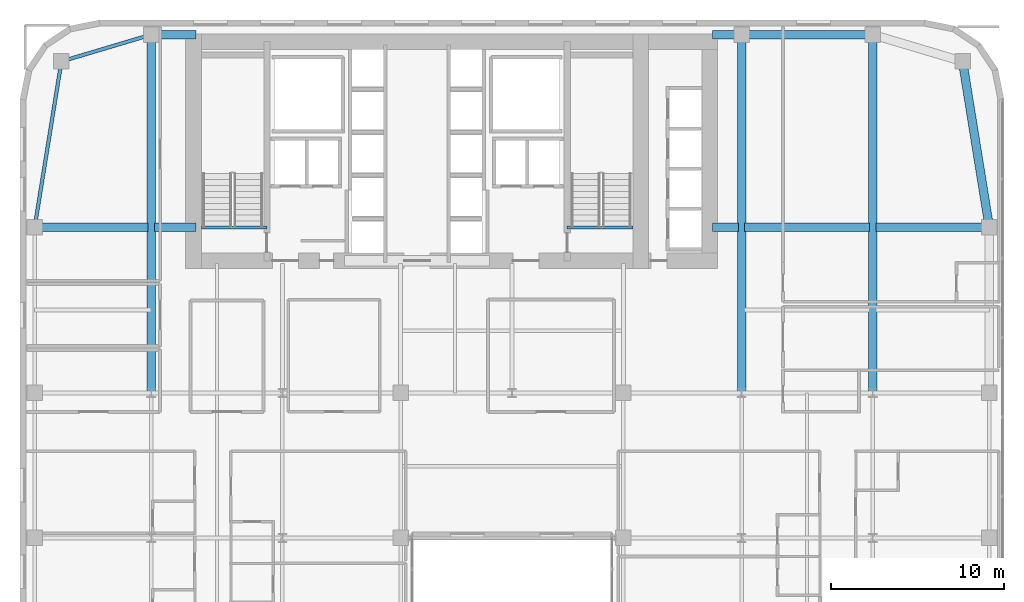
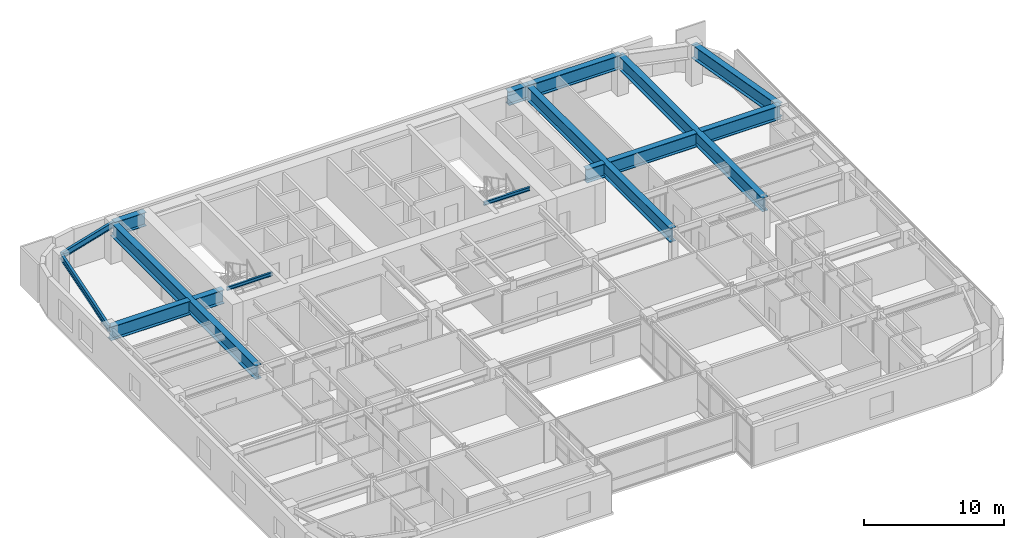
# One storey, part 13 of 25: 16 beams.
"""IFC4 building model written with IfcOpenShell, lengths in metres."""

from ifc_helpers import new_model, si_unit, direction, frame, origin, origin_2d, place, context, subcontext, project, spatial, i_section, extrude, source, transform, mapped, material, material_profile, profile_set, type_object, type_shapes, element, save


model = new_model("IFC4")

# Units and contexts
model_context = context("Model", 3, precision=1e-05, world=origin(), true_north=direction((0.0, 1.0)))
body_context = subcontext(model_context, "Body", "Model", "MODEL_VIEW")
ifc_project = project(units=[si_unit("LENGTHUNIT", "METRE"), si_unit("AREAUNIT", "SQUARE_METRE"), si_unit("VOLUMEUNIT", "CUBIC_METRE"), si_unit("PLANEANGLEUNIT", "RADIAN"), si_unit("MASSUNIT", "GRAM", prefix="KILO")], contexts=[model_context])

# Site, building, storey
site_placement = place(None, origin())
site = spatial("IfcSite", under=ifc_project, at=site_placement, CompositionType="ELEMENT")
building_placement = place(site_placement, origin())
building = spatial("IfcBuilding", under=site, at=building_placement, Name="Tolvann Quenvar Hotel", CompositionType="ELEMENT")
storey_placement = place(building_placement, frame((0.0, 0.0, 78.14990234375)))
storey = spatial("IfcBuildingStorey", under=building, at=storey_placement, Name="L19", CompositionType="ELEMENT", Elevation=78.14990234375)

# Beams
ifc_material = material(Name="Steel Grade 350", Category="steel")
ifc_material_profile_1 = material_profile(ifc_material, i_section(OverallWidth=0.5, OverallDepth=1.199951171875, WebThickness=0.01611328125, FlangeThickness=0.0400390625, at=origin_2d()), Name="1200WB455")
ifc_profile_set_1 = profile_set([ifc_material_profile_1], Name="Steel Grade 350")
beam_type_1 = type_object("IfcBeamType", Name="BM_TG_1200WB455", PredefinedType="USERDEFINED", material=ifc_profile_set_1)
shared_shape_1 = source(origin(), body_context, "Body", "SweptSolid", [
    extrude(i_section(OverallWidth=0.5, OverallDepth=1.199951171875, WebThickness=0.01611328125, FlangeThickness=0.0400390625, at=origin_2d()), origin(), (0.0, 0.0, 1.0), 7.599853515625),
])
beam_1_placement = place(storey_placement, frame((49.39990234375, 45.14990234375, 2.77001953125), z_axis=(-1.0, 0.0, 0.0), x_axis=(0.0, -1.0, 0.0)))
element("IfcBeam", 1, at=beam_1_placement, inside=storey, type_object=beam_type_1, Name="BM-L19-FLK-E4", ObjectType="TRANSFER GIRDER", PredefinedType="USERDEFINED", context=body_context, shape_type="MappedRepresentation", body=[
    mapped(shared_shape_1, transform((0.0, 0.0, 0.0), x_axis=(1.0, 0.0, 0.0), y_axis=(0.0, 1.0, 0.0), z_axis=(0.0, 0.0, 1.0), scale=1.0)),
])
ifc_material_profile_2 = material_profile(ifc_material, i_section(OverallWidth=0.208984375, OverallDepth=0.528076171875, WebThickness=0.009521484375, FlangeThickness=0.01318359375, FilletRadius=0.013916015625, at=origin_2d()), Name="530UB82")
ifc_profile_set_2 = profile_set([ifc_material_profile_2], Name="Steel Grade 350")
beam_type_2 = type_object("IfcBeamType", Name="BM_SPAND_530UB82", PredefinedType="SPANDREL", material=ifc_profile_set_2)
shared_shape_2 = source(origin(), body_context, "Body", "SweptSolid", [
    extrude(i_section(OverallWidth=0.208984375, OverallDepth=0.528076171875, WebThickness=0.009521484375, FlangeThickness=0.01318359375, FilletRadius=0.013916015625, at=origin_2d()), origin(), (0.0, 0.0, 1.0), 5.42626953125),
])
beam_2_placement = place(storey_placement, frame((2.39990234375, 43.60009765625, 3.106201171875), z_axis=(0.958344815522, 0.285613750654, 0.0), x_axis=(-0.285613750654, 0.958344815522, 0.0)))
element("IfcBeam", 2, at=beam_2_placement, inside=storey, type_object=beam_type_2, Name="BM-L19-FLK-W3", PredefinedType="SPANDREL", context=body_context, shape_type="MappedRepresentation", body=[
    mapped(shared_shape_2, transform((0.0, 0.0, 0.0), x_axis=(1.0, 0.0, 0.0), y_axis=(0.0, 1.0, 0.0), z_axis=(0.0, 0.0, 1.0), scale=1.0)),
])
shared_shape_3 = source(origin(), body_context, "Body", "SweptSolid", [
    extrude(i_section(OverallWidth=0.208984375, OverallDepth=0.528076171875, WebThickness=0.009521484375, FlangeThickness=0.01318359375, FilletRadius=0.013916015625, at=origin_2d()), origin(), (0.0, 0.0, 1.0), 9.724365234375),
])
type_shapes(beam_type_2, [shared_shape_2, shared_shape_3])
beam_3_placement = place(storey_placement, frame((0.85009765625, 34.0, 3.106201171875), z_axis=(0.159372939192, 0.987218449105, 0.0), x_axis=(-0.987218449105, 0.159372939192, 0.0)))
element("IfcBeam", 3, at=beam_3_placement, inside=storey, type_object=beam_type_2, Name="BM-L19-FLK-W2", PredefinedType="SPANDREL", context=body_context, shape_type="MappedRepresentation", body=[
    mapped(shared_shape_3, transform((0.0, 0.0, 0.0), x_axis=(1.0, 0.0, 0.0), y_axis=(0.0, 1.0, 0.0), z_axis=(0.0, 0.0, 1.0), scale=1.0)),
])
shared_shape_4 = source(origin(), body_context, "Body", "SweptSolid", [
    extrude(i_section(OverallWidth=0.5, OverallDepth=1.199951171875, WebThickness=0.01611328125, FlangeThickness=0.0400390625, at=origin_2d()), origin(), (0.0, 0.0, 1.0), 20.75),
])
for number, where, z_axis, x_axis, name in (
    (4, (7.60009765625, 24.39990234375, 2.77001953125), (0.0, 1.0, 0.0), (-1.0, 0.0, 0.0), "BM-L19-FLK-WC"),
    (5, (41.800048828125, 24.39990234375, 2.77001953125), (0.0, 1.0, 0.0), (-1.0, 0.0, 0.0), "BM-L19-FLK-EH"),
    (6, (49.39990234375, 24.39990234375, 2.77001953125), (0.0, 1.0, 0.0), (-1.0, 0.0, 0.0), "BM-L19-FLK-EI"),
):
    element("IfcBeam", number, at=place(storey_placement, frame(where, z_axis=z_axis, x_axis=x_axis)), inside=storey, type_object=beam_type_1, Name=name, ObjectType="TRANSFER GIRDER", PredefinedType="USERDEFINED", context=body_context, shape_type="MappedRepresentation", body=[
        mapped(shared_shape_4, transform((0.0, 0.0, 0.0), x_axis=(1.0, 0.0, 0.0), y_axis=(0.0, 1.0, 0.0), z_axis=(0.0, 0.0, 1.0), scale=1.0)),
    ])
shared_shape_5 = source(origin(), body_context, "Body", "SweptSolid", [
    extrude(i_section(OverallWidth=0.5, OverallDepth=1.199951171875, WebThickness=0.01611328125, FlangeThickness=0.0400390625, at=origin_2d()), origin(), (0.0, 0.0, 1.0), 6.56982421875),
])
for number, where, z_axis, x_axis, name in (
    (7, (0.85009765625, 34.0, 2.77001953125), (1.0, 0.0, 0.0), (0.0, 1.0, 0.0), "BM-L19-CTW-MID1"),
    (8, (49.580078125, 34.0, 2.77001953125), (1.0, 0.0, 0.0), (0.0, 1.0, 0.0), "BM-L19-CTE-JD6C"),
):
    element("IfcBeam", number, at=place(storey_placement, frame(where, z_axis=z_axis, x_axis=x_axis)), inside=storey, type_object=beam_type_1, Name=name, ObjectType="TRANSFER GIRDER", PredefinedType="USERDEFINED", context=body_context, shape_type="MappedRepresentation", body=[
        mapped(shared_shape_5, transform((0.0, 0.0, 0.0), x_axis=(1.0, 0.0, 0.0), y_axis=(0.0, 1.0, 0.0), z_axis=(0.0, 0.0, 1.0), scale=1.0)),
    ])
shared_shape_6 = source(origin(), body_context, "Body", "SweptSolid", [
    extrude(i_section(OverallWidth=0.5, OverallDepth=1.199951171875, WebThickness=0.01611328125, FlangeThickness=0.0400390625, at=origin_2d()), origin(), (0.0, 0.0, 1.0), 2.419921875),
])
beam_4_placement = place(storey_placement, frame((7.780029296875, 34.0, 2.77001953125), z_axis=(1.0, 0.0, 0.0), x_axis=(0.0, 1.0, 0.0)))
element("IfcBeam", 9, at=beam_4_placement, inside=storey, type_object=beam_type_1, Name="BM-L19-CTW-MID2", ObjectType="TRANSFER GIRDER", PredefinedType="USERDEFINED", context=body_context, shape_type="MappedRepresentation", body=[
    mapped(shared_shape_6, transform((0.0, 0.0, 0.0), x_axis=(1.0, 0.0, 0.0), y_axis=(0.0, 1.0, 0.0), z_axis=(0.0, 0.0, 1.0), scale=1.0)),
])
shared_shape_7 = source(origin(), body_context, "Body", "SweptSolid", [
    extrude(i_section(OverallWidth=0.5, OverallDepth=1.199951171875, WebThickness=0.01611328125, FlangeThickness=0.0400390625, at=origin_2d()), origin(), (0.0, 0.0, 1.0), 2.599853515625),
])
beam_5_placement = place(storey_placement, frame((7.60009765625, 45.14990234375, 2.77001953125), z_axis=(1.0, 0.0, 0.0), x_axis=(0.0, 1.0, 0.0)))
element("IfcBeam", 10, at=beam_5_placement, inside=storey, type_object=beam_type_1, Name="BM-L19-CTW-CN", ObjectType="TRANSFER GIRDER", PredefinedType="USERDEFINED", context=body_context, shape_type="MappedRepresentation", body=[
    mapped(shared_shape_7, transform((0.0, 0.0, 0.0), x_axis=(1.0, 0.0, 0.0), y_axis=(0.0, 1.0, 0.0), z_axis=(0.0, 0.0, 1.0), scale=1.0)),
])
shared_shape_8 = source(origin(), body_context, "Body", "SweptSolid", [
    extrude(i_section(OverallWidth=0.5, OverallDepth=1.199951171875, WebThickness=0.01611328125, FlangeThickness=0.0400390625, at=origin_2d()), origin(), (0.0, 0.0, 1.0), 9.724365234375),
])
beam_6_placement = place(storey_placement, frame((56.14990234375, 34.0, 2.77001953125), z_axis=(-0.159372939192, 0.987218449105, 0.0), x_axis=(-0.987218449105, -0.159372939192, 0.0)))
element("IfcBeam", 11, at=beam_6_placement, inside=storey, type_object=beam_type_1, Name="BM-L19-FLK-E2", ObjectType="TRANSFER GIRDER", PredefinedType="USERDEFINED", context=body_context, shape_type="MappedRepresentation", body=[
    mapped(shared_shape_8, transform((0.0, 0.0, 0.0), x_axis=(1.0, 0.0, 0.0), y_axis=(0.0, 1.0, 0.0), z_axis=(0.0, 0.0, 1.0), scale=1.0)),
])
shared_shape_9 = source(origin(), body_context, "Body", "SweptSolid", [
    extrude(i_section(OverallWidth=0.5, OverallDepth=1.199951171875, WebThickness=0.01611328125, FlangeThickness=0.0400390625, at=origin_2d()), origin(), (0.0, 0.0, 1.0), 1.699951171875),
])
beam_7_placement = place(storey_placement, frame((40.10009765625, 45.14990234375, 2.77001953125), z_axis=(1.0, 0.0, 0.0), x_axis=(0.0, 1.0, 0.0)))
element("IfcBeam", 12, at=beam_7_placement, inside=storey, type_object=beam_type_1, Name="BM-L19-CTE-HN", ObjectType="TRANSFER GIRDER", PredefinedType="USERDEFINED", context=body_context, shape_type="MappedRepresentation", body=[
    mapped(shared_shape_9, transform((0.0, 0.0, 0.0), x_axis=(1.0, 0.0, 0.0), y_axis=(0.0, 1.0, 0.0), z_axis=(0.0, 0.0, 1.0), scale=1.0)),
])
shared_shape_10 = source(origin(), body_context, "Body", "SweptSolid", [
    extrude(i_section(OverallWidth=0.5, OverallDepth=1.199951171875, WebThickness=0.01611328125, FlangeThickness=0.0400390625, at=origin_2d()), origin(), (0.0, 0.0, 1.0), 1.52001953125),
])
beam_8_placement = place(storey_placement, frame((40.10009765625, 34.0, 2.77001953125), z_axis=(1.0, 0.0, 0.0), x_axis=(0.0, 1.0, 0.0)))
element("IfcBeam", 13, at=beam_8_placement, inside=storey, type_object=beam_type_1, Name="BM-L19-CTE-JD6A", ObjectType="TRANSFER GIRDER", PredefinedType="USERDEFINED", context=body_context, shape_type="MappedRepresentation", body=[
    mapped(shared_shape_10, transform((0.0, 0.0, 0.0), x_axis=(1.0, 0.0, 0.0), y_axis=(0.0, 1.0, 0.0), z_axis=(0.0, 0.0, 1.0), scale=1.0)),
])
shared_shape_11 = source(origin(), body_context, "Body", "SweptSolid", [
    extrude(i_section(OverallWidth=0.5, OverallDepth=1.199951171875, WebThickness=0.01611328125, FlangeThickness=0.0400390625, at=origin_2d()), origin(), (0.0, 0.0, 1.0), 7.239990234375),
])
type_shapes(beam_type_1, [shared_shape_1, shared_shape_4, shared_shape_5, shared_shape_6, shared_shape_7, shared_shape_8, shared_shape_9, shared_shape_10, shared_shape_11])
beam_9_placement = place(storey_placement, frame((41.97998046875, 34.0, 2.77001953125), z_axis=(1.0, 0.0, 0.0), x_axis=(0.0, 1.0, 0.0)))
element("IfcBeam", 14, at=beam_9_placement, inside=storey, type_object=beam_type_1, Name="BM-L19-CTE-JD6B", ObjectType="TRANSFER GIRDER", PredefinedType="USERDEFINED", context=body_context, shape_type="MappedRepresentation", body=[
    mapped(shared_shape_11, transform((0.0, 0.0, 0.0), x_axis=(1.0, 0.0, 0.0), y_axis=(0.0, 1.0, 0.0), z_axis=(0.0, 0.0, 1.0), scale=1.0)),
])
ifc_material_profile_3 = material_profile(ifc_material, i_section(OverallWidth=0.166015625, OverallDepth=0.306884765625, WebThickness=0.006591796875, FlangeThickness=0.01171875, FilletRadius=0.011474609375, at=origin_2d()), Name="310UB46")
ifc_profile_set_3 = profile_set([ifc_material_profile_3], Name="Steel Grade 350")
beam_type_3 = type_object("IfcBeamType", Name="BM_JOIST_310UB46", PredefinedType="JOIST", material=ifc_profile_set_3)
shared_shape_12 = source(origin(), body_context, "Body", "SweptSolid", [
    extrude(i_section(OverallWidth=0.166015625, OverallDepth=0.306884765625, WebThickness=0.006591796875, FlangeThickness=0.01171875, FilletRadius=0.011474609375, at=origin_2d()), origin(), (0.0, 0.0, 1.0), 3.800048828125),
])
type_shapes(beam_type_3, [shared_shape_12])
for number, where, z_axis, x_axis, name in (
    (15, (10.5, 33.97998046875, 3.216552734375), (1.0, 0.0, 0.0), (0.0, 1.0, 0.0), "BM-HDR-STC1-L20"),
    (16, (31.699951171875, 33.97998046875, 3.216552734375), (1.0, 0.0, 0.0), (0.0, 1.0, 0.0), "BM-HDR-STC2-L20"),
):
    element("IfcBeam", number, at=place(storey_placement, frame(where, z_axis=z_axis, x_axis=x_axis)), inside=storey, type_object=beam_type_3, Name=name, PredefinedType="JOIST", context=body_context, shape_type="MappedRepresentation", body=[
        mapped(shared_shape_12, transform((0.0, 0.0, 0.0), x_axis=(1.0, 0.0, 0.0), y_axis=(0.0, 1.0, 0.0), z_axis=(0.0, 0.0, 1.0), scale=1.0)),
    ])

save(model, "model.ifc")
